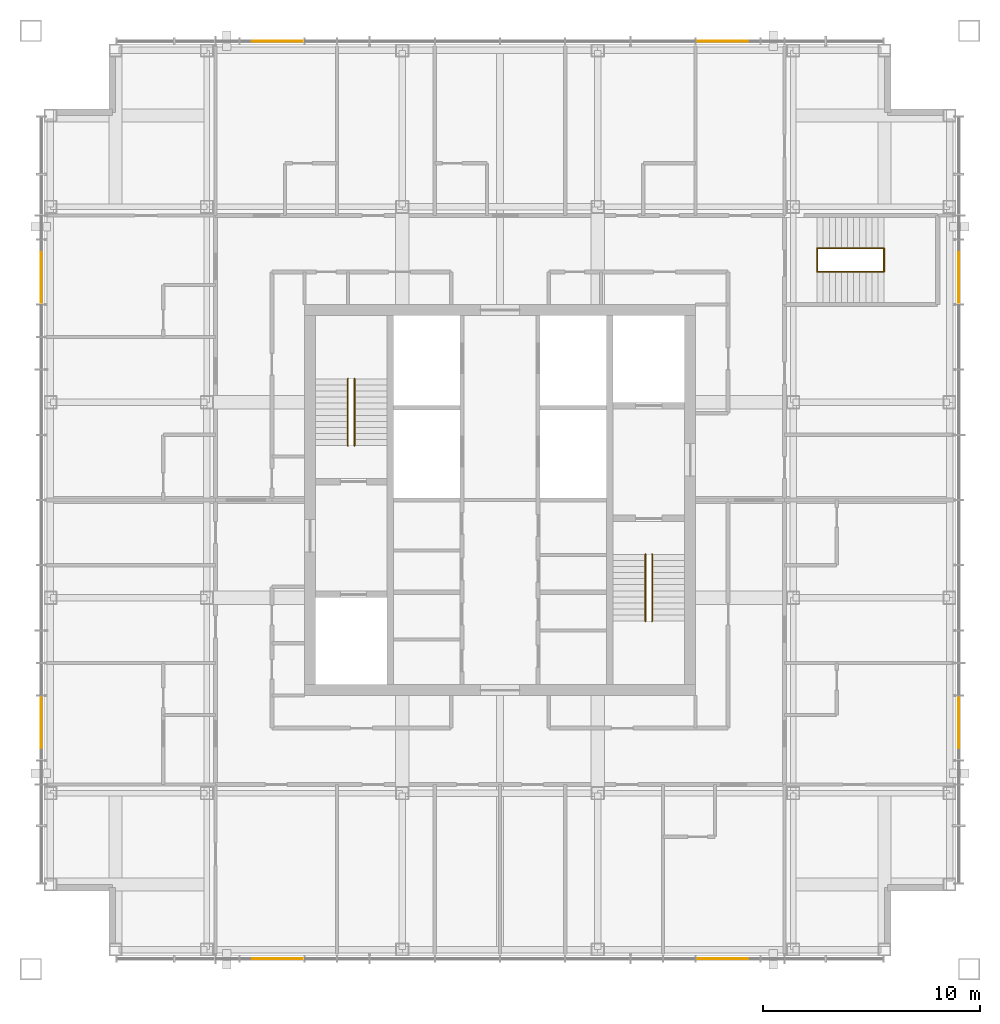
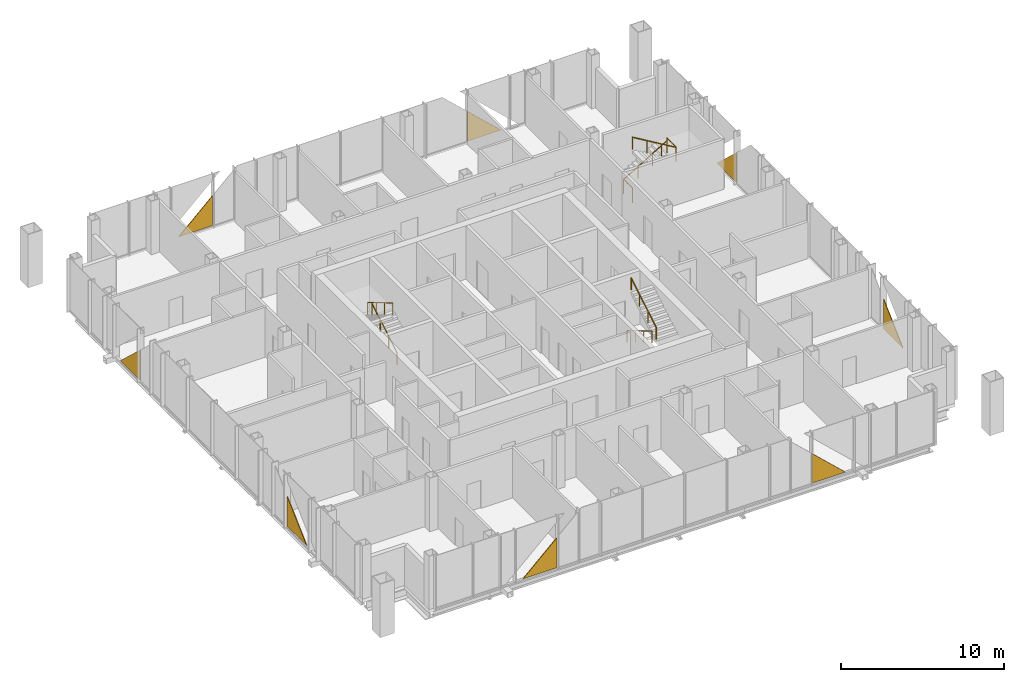
# One storey, part 12 of 14: 8 coverings, 8 railings.
"""IFC4 building model written with IfcOpenShell, lengths in metres."""

from ifc_helpers import new_model, si_unit, direction, frame, origin, origin_2d, place, context, subcontext, project, spatial, polyline, circle, outline, extrude, material, layer, layer_set, type_object, element, save


model = new_model("IFC4")

# Units and contexts
model_context = context("Model", 3, precision=1e-05, world=origin(), true_north=direction((0.0, 1.0)))
body_context = subcontext(model_context, "Body", "Model", "MODEL_VIEW")
ifc_project = project(units=[si_unit("LENGTHUNIT", "METRE"), si_unit("AREAUNIT", "SQUARE_METRE"), si_unit("VOLUMEUNIT", "CUBIC_METRE"), si_unit("PLANEANGLEUNIT", "RADIAN"), si_unit("MASSUNIT", "GRAM", prefix="KILO")], contexts=[model_context])

# Site, building, storey
site_placement = place(None, origin())
site = spatial("IfcSite", under=ifc_project, at=site_placement, CompositionType="ELEMENT")
building_placement = place(site_placement, origin())
building = spatial("IfcBuilding", under=site, at=building_placement, Name="Malebo Sky Hospital", CompositionType="ELEMENT")
storey_placement = place(building_placement, frame((0.0, 0.0, 258.0)))
storey = spatial("IfcBuildingStorey", under=building, at=storey_placement, Name="L62", CompositionType="ELEMENT", Elevation=258.0)

# Coverings
ifc_material_1 = material(Name="Anodised aluminium, natural silver insulated infill panel", Category="aluminium")
ifc_layer = layer(ifc_material_1, 0.0400390625)
ifc_layer_set = layer_set([ifc_layer], Name="BRACE INFILL PANEL 40")
covering_type = type_object("IfcCoveringType", Name="BRACE INFILL PANEL 40", PredefinedType="CLADDING", material=ifc_layer_set)
covering_1_placement = place(storey_placement, frame((49.771728515625, 83.125, 0.099853515625), z_axis=(0.0, 0.0, 1.0), x_axis=(1.0, 0.0, 0.0)))
element("IfcCovering", 1, at=covering_1_placement, inside=storey, type_object=covering_type, Name="Brace infill panel 4.1", PredefinedType="CLADDING", context=body_context, shape_type="SweptSolid", body=[
    extrude(outline(polyline([(-1.190673828125, 0.0), (1.19091796875, 0.0), (1.19091796875, 2.22998046875), (-1.190673828125, 0.0)])), frame((0.0, 0.02001953125, 0.0), z_axis=(0.0, -1.0, 0.0), x_axis=(1.0, 0.0, 0.0)), (0.0, 0.0, 1.0), 0.0400390625),
])
covering_2_placement = place(storey_placement, frame((70.228271484375, 83.125, 0.099853515625), z_axis=(0.0, 0.0, 1.0), x_axis=(1.0, 0.0, 0.0)))
element("IfcCovering", 2, at=covering_2_placement, inside=storey, type_object=covering_type, Name="Brace infill panel 12.1", PredefinedType="CLADDING", context=body_context, shape_type="SweptSolid", body=[
    extrude(outline(polyline([(-1.19091796875, 0.0), (1.190673828125, 0.0), (-1.19091796875, 2.22998046875), (-1.19091796875, 0.0)])), frame((0.0, 0.02001953125, 0.0), z_axis=(0.0, -1.0, 0.0), x_axis=(1.0, 0.0, 0.0)), (0.0, 0.0, 1.0), 0.0400390625),
])
covering_3_placement = place(storey_placement, frame((38.875, 51.771728515625, 0.099853515625), z_axis=(0.0, 0.0, 1.0), x_axis=(0.0, 1.0, 0.0)))
element("IfcCovering", 3, at=covering_3_placement, inside=storey, type_object=covering_type, Name="Brace infill panel 4.1", PredefinedType="CLADDING", context=body_context, shape_type="SweptSolid", body=[
    extrude(outline(polyline([(-1.190673828125, 0.0), (1.19091796875, 0.0), (1.19091796875, 2.22998046875), (-1.190673828125, 0.0)])), frame((0.0, 0.02001953125, 0.0), z_axis=(0.0, -1.0, 0.0), x_axis=(1.0, 0.0, 0.0)), (0.0, 0.0, 1.0), 0.0400390625),
])
covering_4_placement = place(storey_placement, frame((38.875, 72.228271484375, 0.099853515625), z_axis=(0.0, 0.0, 1.0), x_axis=(0.0, 1.0, 0.0)))
element("IfcCovering", 4, at=covering_4_placement, inside=storey, type_object=covering_type, Name="Brace infill panel 13.1", PredefinedType="CLADDING", context=body_context, shape_type="SweptSolid", body=[
    extrude(outline(polyline([(-1.19091796875, 0.0), (1.190673828125, 0.0), (-1.19091796875, 2.22998046875), (-1.19091796875, 0.0)])), frame((0.0, 0.02001953125, 0.0), z_axis=(0.0, -1.0, 0.0), x_axis=(1.0, 0.0, 0.0)), (0.0, 0.0, 1.0), 0.0400390625),
])
covering_5_placement = place(storey_placement, frame((70.228271484375, 40.875, 0.099853515625), z_axis=(0.0, 0.0, 1.0), x_axis=(-1.0, 0.0, 0.0)))
element("IfcCovering", 5, at=covering_5_placement, inside=storey, type_object=covering_type, Name="Brace infill panel 4.1", PredefinedType="CLADDING", context=body_context, shape_type="SweptSolid", body=[
    extrude(outline(polyline([(-1.190673828125, 0.0), (1.19091796875, 0.0), (1.19091796875, 2.22998046875), (-1.190673828125, 0.0)])), frame((0.0, 0.02001953125, 0.0), z_axis=(0.0, -1.0, 0.0), x_axis=(1.0, 0.0, 0.0)), (0.0, 0.0, 1.0), 0.0400390625),
])
covering_6_placement = place(storey_placement, frame((49.771728515625, 40.875, 0.099853515625), z_axis=(0.0, 0.0, 1.0), x_axis=(-1.0, 0.0, 0.0)))
element("IfcCovering", 6, at=covering_6_placement, inside=storey, type_object=covering_type, Name="Brace infill panel 13.1", PredefinedType="CLADDING", context=body_context, shape_type="SweptSolid", body=[
    extrude(outline(polyline([(-1.19091796875, 0.0), (1.190673828125, 0.0), (-1.19091796875, 2.22998046875), (-1.19091796875, 0.0)])), frame((0.0, 0.02001953125, 0.0), z_axis=(0.0, -1.0, 0.0), x_axis=(1.0, 0.0, 0.0)), (0.0, 0.0, 1.0), 0.0400390625),
])
covering_7_placement = place(storey_placement, frame((81.125, 72.228271484375, 0.099853515625), z_axis=(0.0, 0.0, 1.0), x_axis=(0.0, -1.0, 0.0)))
element("IfcCovering", 7, at=covering_7_placement, inside=storey, type_object=covering_type, Name="Brace infill panel 4.1", PredefinedType="CLADDING", context=body_context, shape_type="SweptSolid", body=[
    extrude(outline(polyline([(-1.190673828125, 0.0), (1.19091796875, 0.0), (1.19091796875, 2.22998046875), (-1.190673828125, 0.0)])), frame((0.0, 0.02001953125, 0.0), z_axis=(0.0, -1.0, 0.0), x_axis=(1.0, 0.0, 0.0)), (0.0, 0.0, 1.0), 0.0400390625),
])
covering_8_placement = place(storey_placement, frame((81.125, 51.771728515625, 0.099853515625), z_axis=(0.0, 0.0, 1.0), x_axis=(0.0, -1.0, 0.0)))
element("IfcCovering", 8, at=covering_8_placement, inside=storey, type_object=covering_type, Name="Brace infill panel 12.1", PredefinedType="CLADDING", context=body_context, shape_type="SweptSolid", body=[
    extrude(outline(polyline([(-1.19091796875, 0.0), (1.190673828125, 0.0), (-1.19091796875, 2.22998046875), (-1.19091796875, 0.0)])), frame((0.0, 0.02001953125, 0.0), z_axis=(0.0, -1.0, 0.0), x_axis=(1.0, 0.0, 0.0)), (0.0, 0.0, 1.0), 0.0400390625),
])

# Railings
ifc_material_2 = material(Name="Stainless steel balustrade", Category="steel")
railing_type_1 = type_object("IfcRailingType", Name="STAIR GUARD 1100", PredefinedType="GUARDRAIL", material=ifc_material_2)
for number, where, name in (
    (9, (74.60009765625, 72.5, 0.0), "Stair guard S3 floor landing"),
    (10, (77.679931640625, 72.5, 2.0), "Stair guard S3 mid landing"),
):
    element("IfcRailing", number, at=place(storey_placement, frame(where)), inside=storey, type_object=railing_type_1, Name=name, PredefinedType="GUARDRAIL", context=body_context, shape_type="SweptSolid", body=[
        extrude(circle(Radius=0.02392578125, at=origin_2d()), frame((0.0, 0.0, 1.076171875), z_axis=(0.0, 1.0, 0.0), x_axis=(-1.0, 0.0, 0.0)), (0.0, 0.0, 1.0), 1.10009765625),
        extrude(circle(Radius=0.02099609375, at=origin_2d()), origin(), (0.0, 0.0, 1.0), 1.052001953125),
        extrude(circle(Radius=0.02099609375, at=origin_2d()), frame((0.0, 1.10009765625, 0.0)), (0.0, 0.0, 1.0), 1.052001953125),
    ])
ifc_material_3 = material(Name="Stainless steel tube", Category="steel")
railing_type_2 = type_object("IfcRailingType", Name="STAIR HANDRAIL 900", PredefinedType="HANDRAIL", material=ifc_material_3)
railing_1_placement = place(storey_placement, frame((53.300048828125, 64.5, 0.166748046875)))
element("IfcRailing", 11, at=railing_1_placement, inside=storey, type_object=railing_type_2, Name="Stair handrail S1 flight 1", PredefinedType="HANDRAIL", context=body_context, shape_type="SweptSolid", body=[
    extrude(circle(Radius=0.02392578125, at=origin_2d()), frame((0.0, 0.0, 0.8759765625), z_axis=(0.0, 0.859308565015, 0.511457515432), x_axis=(-1.0, 0.0, 0.0)), (0.0, 0.0, 1.0), 3.58447265625),
    extrude(circle(Radius=0.02099609375, at=origin_2d()), origin(), (0.0, 0.0, 1.0), 0.851806640625),
    extrude(circle(Radius=0.02099609375, at=origin_2d()), frame((0.0, 1.026611328125, 0.611083984375)), (0.0, 0.0, 1.0), 0.851806640625),
    extrude(circle(Radius=0.02099609375, at=origin_2d()), frame((0.0, 2.053466796875, 1.22216796875)), (0.0, 0.0, 1.0), 0.851806640625),
    extrude(circle(Radius=0.02099609375, at=origin_2d()), frame((0.0, 3.080078125, 1.833251953125)), (0.0, 0.0, 1.0), 0.851806640625),
])
for number, where, name in (
    (12, (53.0, 67.580078125, 2.166748046875), "Stair handrail S1 flight 2"),
    (13, (66.699951171875, 59.5, 0.166748046875), "Stair handrail S2 flight 1"),
):
    element("IfcRailing", number, at=place(storey_placement, frame(where)), inside=storey, type_object=railing_type_2, Name=name, PredefinedType="HANDRAIL", context=body_context, shape_type="SweptSolid", body=[
        extrude(circle(Radius=0.02392578125, at=origin_2d()), frame((0.0, 0.0, 0.8759765625), z_axis=(0.0, -0.859308565015, 0.511457515432), x_axis=(1.0, 0.0, 0.0)), (0.0, 0.0, 1.0), 3.58447265625),
        extrude(circle(Radius=0.02099609375, at=origin_2d()), origin(), (0.0, 0.0, 1.0), 0.851806640625),
        extrude(circle(Radius=0.02099609375, at=origin_2d()), frame((0.0, -1.026611328125, 0.611083984375)), (0.0, 0.0, 1.0), 0.851806640625),
        extrude(circle(Radius=0.02099609375, at=origin_2d()), frame((0.0, -2.053466796875, 1.22216796875)), (0.0, 0.0, 1.0), 0.851806640625),
        extrude(circle(Radius=0.02099609375, at=origin_2d()), frame((0.0, -3.080078125, 1.833251953125)), (0.0, 0.0, 1.0), 0.851806640625),
    ])
railing_2_placement = place(storey_placement, frame((67.0, 56.419921875, 2.166748046875)))
element("IfcRailing", 14, at=railing_2_placement, inside=storey, type_object=railing_type_2, Name="Stair handrail S2 flight 2", PredefinedType="HANDRAIL", context=body_context, shape_type="SweptSolid", body=[
    extrude(circle(Radius=0.02392578125, at=origin_2d()), frame((0.0, 0.0, 0.8759765625), z_axis=(0.0, 0.859308565015, 0.511457515432), x_axis=(-1.0, 0.0, 0.0)), (0.0, 0.0, 1.0), 3.58447265625),
    extrude(circle(Radius=0.02099609375, at=origin_2d()), origin(), (0.0, 0.0, 1.0), 0.851806640625),
    extrude(circle(Radius=0.02099609375, at=origin_2d()), frame((0.0, 1.026611328125, 0.611083984375)), (0.0, 0.0, 1.0), 0.851806640625),
    extrude(circle(Radius=0.02099609375, at=origin_2d()), frame((0.0, 2.053466796875, 1.22216796875)), (0.0, 0.0, 1.0), 0.851806640625),
    extrude(circle(Radius=0.02099609375, at=origin_2d()), frame((0.0, 3.080078125, 1.833251953125)), (0.0, 0.0, 1.0), 0.851806640625),
])
railing_3_placement = place(storey_placement, frame((74.60009765625, 73.60009765625, 0.166748046875)))
element("IfcRailing", 15, at=railing_3_placement, inside=storey, type_object=railing_type_2, Name="Stair handrail S3 flight 1", PredefinedType="HANDRAIL", context=body_context, shape_type="SweptSolid", body=[
    extrude(circle(Radius=0.02392578125, at=origin_2d()), frame((0.0, 0.0, 0.8759765625), z_axis=(0.859290745958, 0.0, 0.51148745235), x_axis=(0.0, 1.0, 0.0)), (0.0, 0.0, 1.0), 3.584228515625),
    extrude(circle(Radius=0.02099609375, at=origin_2d()), origin(), (0.0, 0.0, 1.0), 0.851806640625),
    extrude(circle(Radius=0.02099609375, at=origin_2d()), frame((1.026611328125, 0.0, 0.611083984375)), (0.0, 0.0, 1.0), 0.851806640625),
    extrude(circle(Radius=0.02099609375, at=origin_2d()), frame((2.05322265625, 0.0, 1.22216796875)), (0.0, 0.0, 1.0), 0.851806640625),
    extrude(circle(Radius=0.02099609375, at=origin_2d()), frame((3.079833984375, 0.0, 1.833251953125)), (0.0, 0.0, 1.0), 0.851806640625),
])
railing_4_placement = place(storey_placement, frame((77.679931640625, 72.5, 2.166748046875)))
element("IfcRailing", 16, at=railing_4_placement, inside=storey, type_object=railing_type_2, Name="Stair handrail S3 flight 2", PredefinedType="HANDRAIL", context=body_context, shape_type="SweptSolid", body=[
    extrude(circle(Radius=0.02392578125, at=origin_2d()), frame((0.0, 0.0, 0.8759765625), z_axis=(-0.859290745958, 0.0, 0.51148745235), x_axis=(0.0, -1.0, 0.0)), (0.0, 0.0, 1.0), 3.584228515625),
    extrude(circle(Radius=0.02099609375, at=origin_2d()), origin(), (0.0, 0.0, 1.0), 0.851806640625),
    extrude(circle(Radius=0.02099609375, at=origin_2d()), frame((-1.026611328125, 0.0, 0.611083984375)), (0.0, 0.0, 1.0), 0.851806640625),
    extrude(circle(Radius=0.02099609375, at=origin_2d()), frame((-2.05322265625, 0.0, 1.22216796875)), (0.0, 0.0, 1.0), 0.851806640625),
    extrude(circle(Radius=0.02099609375, at=origin_2d()), frame((-3.079833984375, 0.0, 1.833251953125)), (0.0, 0.0, 1.0), 0.851806640625),
])

save(model, "model.ifc")
